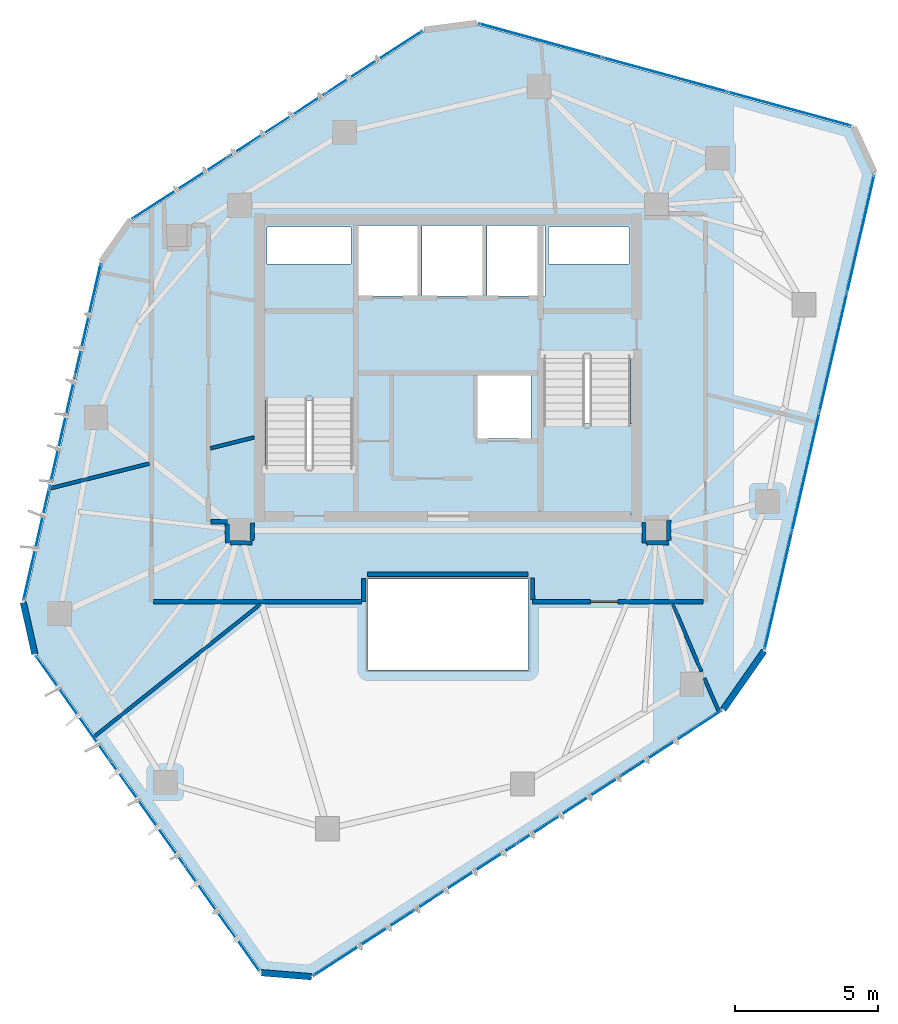
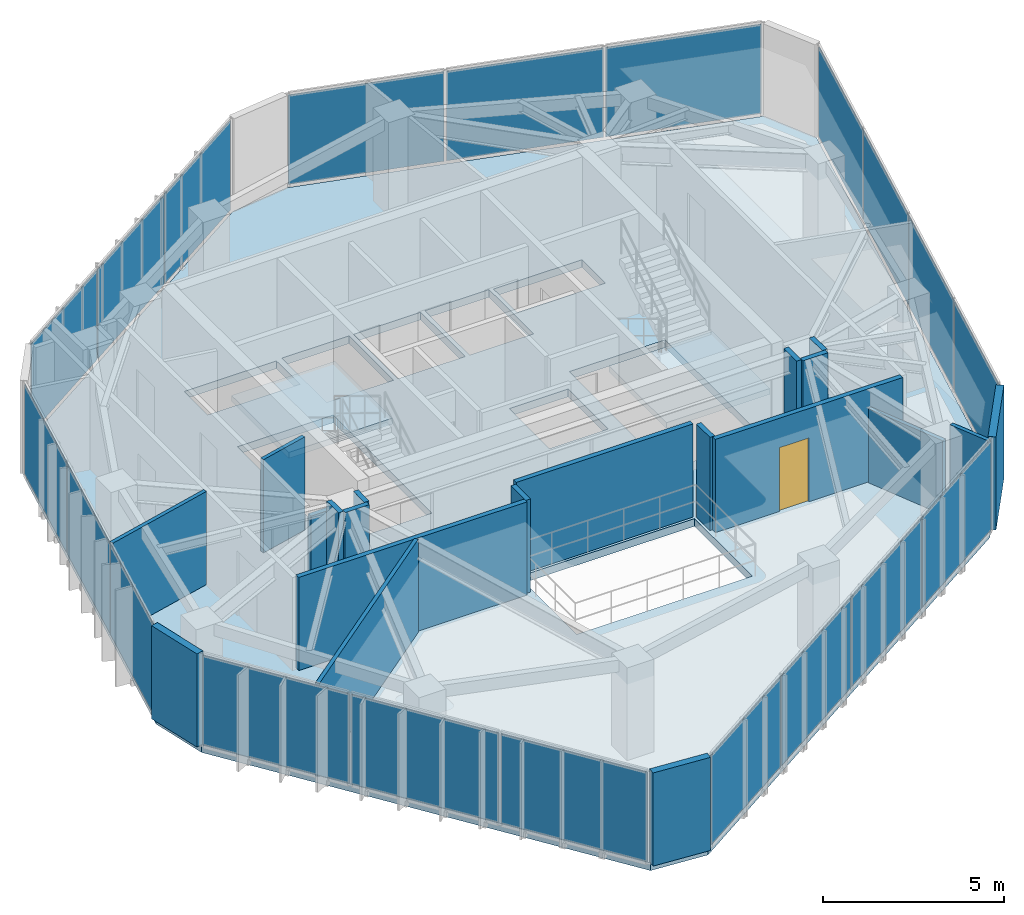
# One storey, part 16 of 20: 20 plates, 20 walls, 3 slabs, 1 door, 1 opening, 8 elements without a shape of their own.
"""IFC4 building model written with IfcOpenShell, lengths in metres."""

from ifc_helpers import new_model, si_unit, direction, frame, frame_2d, origin, origin_2d, place, context, subcontext, project, spatial, polyline, rectangle, outline, extrude, source, transform, mapped, material, layer, layer_set, type_object, type_shapes, element, fill, aggregate, save


model = new_model("IFC4")

# Units and contexts
model_context = context("Model", 3, precision=1e-05, world=origin(), true_north=direction((0.0, 1.0)))
body_context = subcontext(model_context, "Body", "Model", "MODEL_VIEW")
ifc_project = project(units=[si_unit("LENGTHUNIT", "METRE"), si_unit("AREAUNIT", "SQUARE_METRE"), si_unit("VOLUMEUNIT", "CUBIC_METRE"), si_unit("PLANEANGLEUNIT", "RADIAN"), si_unit("MASSUNIT", "GRAM", prefix="KILO")], contexts=[model_context])

# Site, building, storey
site_placement = place(None, origin())
site = spatial("IfcSite", under=ifc_project, at=site_placement, CompositionType="ELEMENT")
building_placement = place(site_placement, origin())
building = spatial("IfcBuilding", under=site, at=building_placement, Name="Talar Marvaseh", CompositionType="ELEMENT")
storey_placement = place(building_placement, frame((0.0, 0.0, 247.60009765625)))
storey = spatial("IfcBuildingStorey", under=building, at=storey_placement, Name="L65", CompositionType="ELEMENT", Elevation=247.60009765625)

# Stair, slab
ifc_material_1 = material(Name="Concrete C40/50", Category="concrete")
stair_type = type_object("IfcStairType", Name="Reinforced Concrete High-Rise Exit Stair Type C", PredefinedType="HALF_TURN_STAIR", material=ifc_material_1)
stair_1_placement = place(storey_placement, origin())
stair_1 = element("IfcStair", 1, at=stair_1_placement, inside=storey, type_object=stair_type, Name="L65 Tower West Core Exit Stair", PredefinedType="HALF_TURN_STAIR")
ifc_layer_1 = layer(ifc_material_1, 0.199951171875)
ifc_layer_set_1 = layer_set([ifc_layer_1], Name="Concrete C40/50")
slab_type_1 = type_object("IfcSlabType", Name="Reinforced Concrete Stair Half-Landing Slab 200", PredefinedType="LANDING", material=ifc_layer_set_1)
slab_1_placement = place(storey_placement, frame((0.0, 0.0, 1.5)))
slab_1 = element("IfcSlab", 2, at=slab_1_placement, type_object=slab_type_1, Name="ST-1 landing 1", PredefinedType="LANDING", context=body_context, shape_type="SweptSolid", body=[
    extrude(outline(polyline([(22.780029296875, 30.050048828125), (22.780029296875, 33.219970703125), (19.47998046875, 33.219970703125), (19.47998046875, 30.050048828125), (22.780029296875, 30.050048828125)])), origin(), (0.0, 0.0, 1.0), 0.199951171875),
])
aggregate(stair_1, [slab_1])

stair_2_placement = place(storey_placement, origin())
stair_2 = element("IfcStair", 3, at=stair_2_placement, inside=storey, type_object=stair_type, Name="L65 Tower East Core Exit Stair", PredefinedType="HALF_TURN_STAIR")
slab_2_placement = place(storey_placement, frame((0.0, 0.0, 1.5)))
slab_2 = element("IfcSlab", 4, at=slab_2_placement, type_object=slab_type_1, Name="ST-2 landing 1", PredefinedType="LANDING", context=body_context, shape_type="SweptSolid", body=[
    extrude(outline(polyline([(29.219970703125, 29.25), (29.219970703125, 26.080078125), (32.52001953125, 26.080078125), (32.52001953125, 29.25), (29.219970703125, 29.25)])), origin(), (0.0, 0.0, 1.0), 0.199951171875),
])
aggregate(stair_2, [slab_2])

# Slab
ifc_layer_2 = layer(ifc_material_1, 0.260009765625)
ifc_layer_set_2 = layer_set([ifc_layer_2], Name="Concrete C40/50")
slab_type_2 = type_object("IfcSlabType", Name="Structural Suspended Floor Slab 260", PredefinedType="FLOOR", material=ifc_layer_set_2)
slab_3_placement = place(storey_placement, frame((0.0, 0.0, -0.260009765625)))
element("IfcSlab", 5, at=slab_3_placement, inside=storey, type_object=slab_type_2, Name="L65 Tower Floor Slab", PredefinedType="FLOOR", context=body_context, shape_type="SweptSolid", body=[
    extrude(outline(polyline([(21.21533203125, 9.915283203125), (19.462890625, 10.0556640625), (11.5751953125, 21.177001953125), (11.16943359375, 22.988525390625), (13.90087890625, 34.885009765625), (14.92236328125, 36.343505859375), (25.1669921875, 42.979248046875), (27.008056640625, 43.217529296875), (40.156494140625, 39.609130859375), (40.8876953125, 38.01025390625), (37.0283203125, 21.305419921875), (35.593017578125, 19.255615234375), (21.21533203125, 9.915283203125)]), holes=[polyline([(22.659912109375, 27.64990234375), (22.659912109375, 33.10009765625), (19.60009765625, 33.10009765625), (19.60009765625, 27.64990234375), (22.659912109375, 27.64990234375)]), polyline([(29.340087890625, 31.64990234375), (29.340087890625, 26.199951171875), (32.39990234375, 26.199951171875), (32.39990234375, 31.64990234375), (29.340087890625, 31.64990234375)]), polyline([(22.800048828125, 33.719970703125), (24.93994140625, 33.719970703125), (24.93994140625, 36.179931640625), (22.800048828125, 36.179931640625), (22.800048828125, 33.719970703125)]), polyline([(25.080078125, 33.719970703125), (27.219970703125, 33.719970703125), (27.219970703125, 36.179931640625), (25.080078125, 36.179931640625), (25.080078125, 33.719970703125)]), polyline([(27.360107421875, 33.719970703125), (29.39990234375, 33.719970703125), (29.39990234375, 36.179931640625), (27.360107421875, 36.179931640625), (27.360107421875, 33.719970703125)]), polyline([(27.02001953125, 28.719970703125), (28.89990234375, 28.719970703125), (28.89990234375, 30.93994140625), (27.02001953125, 30.93994140625), (27.02001953125, 28.719970703125)]), polyline([(19.659912109375, 34.840087890625), (22.60009765625, 34.840087890625), (22.60009765625, 36.139892578125), (19.659912109375, 36.139892578125), (19.659912109375, 34.840087890625)]), polyline([(29.52001953125, 34.840087890625), (32.340087890625, 34.840087890625), (32.340087890625, 36.139892578125), (29.52001953125, 36.139892578125), (29.52001953125, 34.840087890625)]), polyline([(23.199951171875, 20.60009765625), (28.800048828125, 20.60009765625), (28.800048828125, 23.800048828125), (23.199951171875, 23.800048828125), (23.199951171875, 20.60009765625)])]), origin(), (0.0, 0.0, 1.0), 0.260009765625),
])

# Curtain wall, plate
ifc_material_2 = material(Name="Architectural Aluminium", Category="aluminium")
ifc_layer_3 = layer(ifc_material_2, 0.179931640625)
ifc_layer_set_3 = layer_set([ifc_layer_3], Name="Architectural Aluminium")
curtain_wall_type = type_object("IfcCurtainWallType", Name="Unitised High-Wind Sky Curtain Wall Z4", PredefinedType="NOTDEFINED", material=ifc_layer_set_3)
curtain_wall_1_placement = place(storey_placement, origin())
curtain_wall_1 = element("IfcCurtainWall", 6, at=curtain_wall_1_placement, inside=storey, type_object=curtain_wall_type, Name="L65 Unitised High-Wind Sky Curtain Wall Z4", PredefinedType="NOTDEFINED")
ifc_material_3 = material(Name="Laminated Low-E Solar Glass", Category="glass")
ifc_layer_4 = layer(ifc_material_3, 0.028076171875)
ifc_layer_set_4 = layer_set([ifc_layer_4], Name="Laminated Low-E Solar Glass")
plate_type = type_object("IfcPlateType", Name="Double-Glazed Low-E Vision Curtain Panel 28", PredefinedType="CURTAIN_PANEL", material=ifc_layer_set_4)
shared_shape_1 = source(origin(), body_context, "Body", "SweptSolid", [
    extrude(rectangle(XDim=4.47998046875, YDim=0.028076171875, at=origin_2d()), origin(), (0.0, 0.0, 1.0), 3.010009765625),
])
plate_1_placement = place(storey_placement, frame((15.47021484375, 15.58154296875, 0.06494140625), z_axis=(0.0, 0.0, 1.0), x_axis=(-0.578512539176, 0.815673489833, 0.0)))
plate_1 = element("IfcPlate", 7, at=plate_1_placement, type_object=plate_type, Name="CW-Z4 panel 2.1", PredefinedType="CURTAIN_PANEL", context=body_context, shape_type="MappedRepresentation", body=[
    mapped(shared_shape_1, transform((0.0, 0.0, 0.0), x_axis=(1.0, 0.0, 0.0), y_axis=(0.0, 1.0, 0.0), z_axis=(0.0, 0.0, 1.0), scale=1.0)),
])

curtain_wall_2_placement = place(storey_placement, origin())
curtain_wall_2 = element("IfcCurtainWall", 8, at=curtain_wall_2_placement, inside=storey, type_object=curtain_wall_type, Name="L65 Unitised High-Wind Sky Curtain Wall Z4", PredefinedType="NOTDEFINED")
plate_2_placement = place(storey_placement, frame((33.59814453125, 41.47119140625, 0.06494140625), z_axis=(0.0, 0.0, 1.0), x_axis=(0.964344721115, -0.264649312974, 0.0)))
plate_2 = element("IfcPlate", 9, at=plate_2_placement, type_object=plate_type, Name="CW-Z4 panel 2.1", PredefinedType="CURTAIN_PANEL", context=body_context, shape_type="MappedRepresentation", body=[
    mapped(shared_shape_1, transform((0.0, 0.0, 0.0), x_axis=(1.0, 0.0, 0.0), y_axis=(0.0, 1.0, 0.0), z_axis=(0.0, 0.0, 1.0), scale=1.0)),
])

# Curtain wall, plates
curtain_wall_3_placement = place(storey_placement, origin())
curtain_wall_3 = element("IfcCurtainWall", 10, at=curtain_wall_3_placement, inside=storey, type_object=curtain_wall_type, Name="L65 Unitised High-Wind Sky Curtain Wall Z4", PredefinedType="NOTDEFINED")
shared_shape_2 = source(origin(), body_context, "Body", "SweptSolid", [
    extrude(rectangle(XDim=3.97119140625, YDim=0.028076171875, at=origin_2d()), origin(), (0.0, 0.0, 1.0), 3.010009765625),
])
plate_3_placement = place(storey_placement, frame((11.56982421875, 25.00048828125, 0.06494140625), z_axis=(0.0, 0.0, 1.0), x_axis=(0.223791926761, 0.974636944465, 0.0)))
plate_3 = element("IfcPlate", 11, at=plate_3_placement, type_object=plate_type, Name="CW-Z4 panel 1.1", PredefinedType="CURTAIN_PANEL", context=body_context, shape_type="MappedRepresentation", body=[
    mapped(shared_shape_2, transform((0.0, 0.0, 0.0), x_axis=(1.0, 0.0, 0.0), y_axis=(0.0, 1.0, 0.0), z_axis=(0.0, 0.0, 1.0), scale=1.0)),
])
plate_4_placement = place(storey_placement, frame((13.383544921875, 32.89990234375, 0.06494140625), z_axis=(0.0, 0.0, 1.0), x_axis=(0.223791926761, 0.974636944465, 0.0)))
plate_4 = element("IfcPlate", 12, at=plate_4_placement, type_object=plate_type, Name="CW-Z4 panel 3.1", PredefinedType="CURTAIN_PANEL", context=body_context, shape_type="MappedRepresentation", body=[
    mapped(shared_shape_2, transform((0.0, 0.0, 0.0), x_axis=(1.0, 0.0, 0.0), y_axis=(0.0, 1.0, 0.0), z_axis=(0.0, 0.0, 1.0), scale=1.0)),
])

curtain_wall_4_placement = place(storey_placement, origin())
curtain_wall_4 = element("IfcCurtainWall", 13, at=curtain_wall_4_placement, inside=storey, type_object=curtain_wall_type, Name="L65 Unitised High-Wind Sky Curtain Wall Z4", PredefinedType="NOTDEFINED")
plate_5_placement = place(storey_placement, frame((16.61083984375, 37.5087890625, 0.06494140625), z_axis=(0.0, 0.0, 1.0), x_axis=(0.839314430427, 0.543646288387, 0.0)))
plate_5 = element("IfcPlate", 14, at=plate_5_placement, type_object=plate_type, Name="CW-Z4 panel 1.1", PredefinedType="CURTAIN_PANEL", context=body_context, shape_type="MappedRepresentation", body=[
    mapped(shared_shape_2, transform((0.0, 0.0, 0.0), x_axis=(1.0, 0.0, 0.0), y_axis=(0.0, 1.0, 0.0), z_axis=(0.0, 0.0, 1.0), scale=1.0)),
])
plate_6_placement = place(storey_placement, frame((23.413330078125, 41.914794921875, 0.06494140625), z_axis=(0.0, 0.0, 1.0), x_axis=(0.839314430427, 0.543646288387, 0.0)))
plate_6 = element("IfcPlate", 15, at=plate_6_placement, type_object=plate_type, Name="CW-Z4 panel 3.1", PredefinedType="CURTAIN_PANEL", context=body_context, shape_type="MappedRepresentation", body=[
    mapped(shared_shape_2, transform((0.0, 0.0, 0.0), x_axis=(1.0, 0.0, 0.0), y_axis=(0.0, 1.0, 0.0), z_axis=(0.0, 0.0, 1.0), scale=1.0)),
])

# Plate
shared_shape_3 = source(origin(), body_context, "Body", "SweptSolid", [
    extrude(rectangle(XDim=4.003662109375, YDim=0.028076171875, at=origin_2d()), origin(), (0.0, 0.0, 1.0), 3.010009765625),
])
plate_7_placement = place(storey_placement, frame((12.476806640625, 28.9501953125, 0.06494140625), z_axis=(0.0, 0.0, 1.0), x_axis=(0.223791926761, 0.974636944465, 0.0)))
plate_7 = element("IfcPlate", 16, at=plate_7_placement, type_object=plate_type, Name="CW-Z4 panel 2.1", PredefinedType="CURTAIN_PANEL", context=body_context, shape_type="MappedRepresentation", body=[
    mapped(shared_shape_3, transform((0.0, 0.0, 0.0), x_axis=(1.0, 0.0, 0.0), y_axis=(0.0, 1.0, 0.0), z_axis=(0.0, 0.0, 1.0), scale=1.0)),
])

aggregate(curtain_wall_3, [plate_3, plate_7, plate_4])

plate_8_placement = place(storey_placement, frame((20.011962890625, 39.711669921875, 0.06494140625), z_axis=(0.0, 0.0, 1.0), x_axis=(0.839314430427, 0.543646288387, 0.0)))
plate_8 = element("IfcPlate", 17, at=plate_8_placement, type_object=plate_type, Name="CW-Z4 panel 2.1", PredefinedType="CURTAIN_PANEL", context=body_context, shape_type="MappedRepresentation", body=[
    mapped(shared_shape_3, transform((0.0, 0.0, 0.0), x_axis=(1.0, 0.0, 0.0), y_axis=(0.0, 1.0, 0.0), z_axis=(0.0, 0.0, 1.0), scale=1.0)),
])

aggregate(curtain_wall_4, [plate_5, plate_8, plate_6])

# Curtain wall, plates
curtain_wall_5_placement = place(storey_placement, origin())
curtain_wall_5 = element("IfcCurtainWall", 18, at=curtain_wall_5_placement, inside=storey, type_object=curtain_wall_type, Name="L65 Unitised High-Wind Sky Curtain Wall Z4", PredefinedType="NOTDEFINED")
shared_shape_4 = source(origin(), body_context, "Body", "SweptSolid", [
    extrude(rectangle(XDim=4.188720703125, YDim=0.028076171875, at=origin_2d()), origin(), (0.0, 0.0, 1.0), 3.010009765625),
])
plate_9_placement = place(storey_placement, frame((40.460205078125, 35.892822265625, 0.06494140625), z_axis=(0.0, 0.0, 1.0), x_axis=(-0.225103157943, -0.974334936397, 0.0)))
plate_9 = element("IfcPlate", 19, at=plate_9_placement, type_object=plate_type, Name="CW-Z4 panel 1.1", PredefinedType="CURTAIN_PANEL", context=body_context, shape_type="MappedRepresentation", body=[
    mapped(shared_shape_4, transform((0.0, 0.0, 0.0), x_axis=(1.0, 0.0, 0.0), y_axis=(0.0, 1.0, 0.0), z_axis=(0.0, 0.0, 1.0), scale=1.0)),
])
plate_10_placement = place(storey_placement, frame((37.572998046875, 23.395751953125, 0.06494140625), z_axis=(0.0, 0.0, 1.0), x_axis=(-0.225103157943, -0.974334936397, 0.0)))
plate_10 = element("IfcPlate", 20, at=plate_10_placement, type_object=plate_type, Name="CW-Z4 panel 4.1", PredefinedType="CURTAIN_PANEL", context=body_context, shape_type="MappedRepresentation", body=[
    mapped(shared_shape_4, transform((0.0, 0.0, 0.0), x_axis=(1.0, 0.0, 0.0), y_axis=(0.0, 1.0, 0.0), z_axis=(0.0, 0.0, 1.0), scale=1.0)),
])

curtain_wall_6_placement = place(storey_placement, origin())
curtain_wall_6 = element("IfcCurtainWall", 21, at=curtain_wall_6_placement, inside=storey, type_object=curtain_wall_type, Name="L65 Unitised High-Wind Sky Curtain Wall Z4", PredefinedType="NOTDEFINED")
plate_11_placement = place(storey_placement, frame((33.81494140625, 18.02880859375, 0.06494140625), z_axis=(0.0, 0.0, 1.0), x_axis=(-0.838585906919, -0.544769379387, 0.0)))
plate_11 = element("IfcPlate", 22, at=plate_11_placement, type_object=plate_type, Name="CW-Z4 panel 1.1", PredefinedType="CURTAIN_PANEL", context=body_context, shape_type="MappedRepresentation", body=[
    mapped(shared_shape_4, transform((0.0, 0.0, 0.0), x_axis=(1.0, 0.0, 0.0), y_axis=(0.0, 1.0, 0.0), z_axis=(0.0, 0.0, 1.0), scale=1.0)),
])
plate_12_placement = place(storey_placement, frame((23.058837890625, 11.04150390625, 0.06494140625), z_axis=(0.0, 0.0, 1.0), x_axis=(-0.838585906919, -0.544769379387, 0.0)))
plate_12 = element("IfcPlate", 23, at=plate_12_placement, type_object=plate_type, Name="CW-Z4 panel 4.1", PredefinedType="CURTAIN_PANEL", context=body_context, shape_type="MappedRepresentation", body=[
    mapped(shared_shape_4, transform((0.0, 0.0, 0.0), x_axis=(1.0, 0.0, 0.0), y_axis=(0.0, 1.0, 0.0), z_axis=(0.0, 0.0, 1.0), scale=1.0)),
])

# Plate
shared_shape_5 = source(origin(), body_context, "Body", "SweptSolid", [
    extrude(rectangle(XDim=4.22119140625, YDim=0.028076171875, at=origin_2d()), origin(), (0.0, 0.0, 1.0), 3.010009765625),
])
plate_13_placement = place(storey_placement, frame((39.4990234375, 31.732421875, 0.06494140625), z_axis=(0.0, 0.0, 1.0), x_axis=(-0.225103157943, -0.974334936397, 0.0)))
plate_13 = element("IfcPlate", 24, at=plate_13_placement, type_object=plate_type, Name="CW-Z4 panel 2.1", PredefinedType="CURTAIN_PANEL", context=body_context, shape_type="MappedRepresentation", body=[
    mapped(shared_shape_5, transform((0.0, 0.0, 0.0), x_axis=(1.0, 0.0, 0.0), y_axis=(0.0, 1.0, 0.0), z_axis=(0.0, 0.0, 1.0), scale=1.0)),
])

plate_14_placement = place(storey_placement, frame((38.5341796875, 27.55615234375, 0.06494140625), z_axis=(0.0, 0.0, 1.0), x_axis=(-0.225103157943, -0.974334936397, 0.0)))
plate_14 = element("IfcPlate", 25, at=plate_14_placement, type_object=plate_type, Name="CW-Z4 panel 3.1", PredefinedType="CURTAIN_PANEL", context=body_context, shape_type="MappedRepresentation", body=[
    mapped(shared_shape_5, transform((0.0, 0.0, 0.0), x_axis=(1.0, 0.0, 0.0), y_axis=(0.0, 1.0, 0.0), z_axis=(0.0, 0.0, 1.0), scale=1.0)),
])

aggregate(curtain_wall_5, [plate_9, plate_13, plate_14, plate_10])

plate_15_placement = place(storey_placement, frame((30.234130859375, 15.70263671875, 0.06494140625), z_axis=(0.0, 0.0, 1.0), x_axis=(-0.838585906919, -0.544769379387, 0.0)))
plate_15 = element("IfcPlate", 26, at=plate_15_placement, type_object=plate_type, Name="CW-Z4 panel 2.1", PredefinedType="CURTAIN_PANEL", context=body_context, shape_type="MappedRepresentation", body=[
    mapped(shared_shape_5, transform((0.0, 0.0, 0.0), x_axis=(1.0, 0.0, 0.0), y_axis=(0.0, 1.0, 0.0), z_axis=(0.0, 0.0, 1.0), scale=1.0)),
])

plate_16_placement = place(storey_placement, frame((26.6396484375, 13.36767578125, 0.06494140625), z_axis=(0.0, 0.0, 1.0), x_axis=(-0.838585906919, -0.544769379387, 0.0)))
plate_16 = element("IfcPlate", 27, at=plate_16_placement, type_object=plate_type, Name="CW-Z4 panel 3.1", PredefinedType="CURTAIN_PANEL", context=body_context, shape_type="MappedRepresentation", body=[
    mapped(shared_shape_5, transform((0.0, 0.0, 0.0), x_axis=(1.0, 0.0, 0.0), y_axis=(0.0, 1.0, 0.0), z_axis=(0.0, 0.0, 1.0), scale=1.0)),
])

aggregate(curtain_wall_6, [plate_11, plate_15, plate_16, plate_12])

shared_shape_6 = source(origin(), body_context, "Body", "SweptSolid", [
    extrude(rectangle(XDim=4.447265625, YDim=0.028076171875, at=origin_2d()), origin(), (0.0, 0.0, 1.0), 3.010009765625),
])
type_shapes(plate_type, [shared_shape_1, shared_shape_2, shared_shape_3, shared_shape_4, shared_shape_5, shared_shape_6])
plate_17_placement = place(storey_placement, frame((18.090087890625, 11.8876953125, 0.06494140625), z_axis=(0.0, 0.0, 1.0), x_axis=(-0.578512539176, 0.815673489833, 0.0)))
plate_17 = element("IfcPlate", 28, at=plate_17_placement, type_object=plate_type, Name="CW-Z4 panel 1.1", PredefinedType="CURTAIN_PANEL", context=body_context, shape_type="MappedRepresentation", body=[
    mapped(shared_shape_6, transform((0.0, 0.0, 0.0), x_axis=(1.0, 0.0, 0.0), y_axis=(0.0, 1.0, 0.0), z_axis=(0.0, 0.0, 1.0), scale=1.0)),
])

plate_18_placement = place(storey_placement, frame((12.850341796875, 19.275390625, 0.06494140625), z_axis=(0.0, 0.0, 1.0), x_axis=(-0.578512539176, 0.815673489833, 0.0)))
plate_18 = element("IfcPlate", 29, at=plate_18_placement, type_object=plate_type, Name="CW-Z4 panel 3.1", PredefinedType="CURTAIN_PANEL", context=body_context, shape_type="MappedRepresentation", body=[
    mapped(shared_shape_6, transform((0.0, 0.0, 0.0), x_axis=(1.0, 0.0, 0.0), y_axis=(0.0, 1.0, 0.0), z_axis=(0.0, 0.0, 1.0), scale=1.0)),
])

aggregate(curtain_wall_1, [plate_17, plate_1, plate_18])

plate_19_placement = place(storey_placement, frame((29.231201171875, 42.669677734375, 0.06494140625), z_axis=(0.0, 0.0, 1.0), x_axis=(0.964344721115, -0.264649312974, 0.0)))
plate_19 = element("IfcPlate", 30, at=plate_19_placement, type_object=plate_type, Name="CW-Z4 panel 1.1", PredefinedType="CURTAIN_PANEL", context=body_context, shape_type="MappedRepresentation", body=[
    mapped(shared_shape_6, transform((0.0, 0.0, 0.0), x_axis=(1.0, 0.0, 0.0), y_axis=(0.0, 1.0, 0.0), z_axis=(0.0, 0.0, 1.0), scale=1.0)),
])

plate_20_placement = place(storey_placement, frame((37.96533203125, 40.272705078125, 0.06494140625), z_axis=(0.0, 0.0, 1.0), x_axis=(0.964344721115, -0.264649312974, 0.0)))
plate_20 = element("IfcPlate", 31, at=plate_20_placement, type_object=plate_type, Name="CW-Z4 panel 3.1", PredefinedType="CURTAIN_PANEL", context=body_context, shape_type="MappedRepresentation", body=[
    mapped(shared_shape_6, transform((0.0, 0.0, 0.0), x_axis=(1.0, 0.0, 0.0), y_axis=(0.0, 1.0, 0.0), z_axis=(0.0, 0.0, 1.0), scale=1.0)),
])

aggregate(curtain_wall_2, [plate_19, plate_2, plate_20])

# Walls
ifc_material_4 = material(Name="Precast concrete C45/55", Category="concrete")
ifc_layer_5 = layer(ifc_material_4, 0.22509765625)
ifc_layer_set_5 = layer_set([ifc_layer_5], Name="Precast concrete C45/55")
wall_type_1 = type_object("IfcWallType", Name="Chamfered Hexagonal Corner Pier Wall Z4 225", PredefinedType="SOLIDWALL", material=ifc_layer_set_5)
wall_1_placement = place(storey_placement, frame((21.210693359375, 9.855712890625, 0.0), z_axis=(0.0, 0.0, 1.0), x_axis=(-0.996817927358, 0.079712105085, 0.0)))
element("IfcWall", 32, at=wall_1_placement, inside=storey, type_object=wall_type_1, Name="L65 Chamfered Corner Limestone Pier 1", PredefinedType="SOLIDWALL", context=body_context, shape_type="SweptSolid", body=[
    extrude(rectangle(XDim=1.758056640625, YDim=0.22509765625, at=frame_2d((0.87890625, 0.0))), origin(), (0.0, 0.0, 1.0), 3.139892578125),
])
wall_2_placement = place(storey_placement, frame((11.5166015625, 21.163818359375, 0.0), z_axis=(0.0, 0.0, 1.0), x_axis=(-0.218545232932, 0.975826819247, 0.0)))
element("IfcWall", 33, at=wall_2_placement, inside=storey, type_object=wall_type_1, Name="L65 Chamfered Corner Limestone Pier 2", PredefinedType="SOLIDWALL", context=body_context, shape_type="SweptSolid", body=[
    extrude(rectangle(XDim=1.856689453125, YDim=0.22509765625, at=frame_2d((0.92822265625, 0.0))), origin(), (0.0, 0.0, 1.0), 3.139892578125),
])
wall_3_placement = place(storey_placement, frame((37.077392578125, 21.27099609375, 0.0), z_axis=(0.0, 0.0, 1.0), x_axis=(-0.573580201276, -0.819149408047, 0.0)))
element("IfcWall", 34, at=wall_3_placement, inside=storey, type_object=wall_type_1, Name="L65 Chamfered Corner Limestone Pier 6", PredefinedType="SOLIDWALL", context=body_context, shape_type="SweptSolid", body=[
    extrude(rectangle(XDim=2.50244140625, YDim=0.22509765625, at=frame_2d((1.251220703125, 0.0))), origin(), (0.0, 0.0, 1.0), 3.139892578125),
])

# Wall, opening, door
ifc_material_5 = material(Name="Gypsum Board Partition Assembly")
ifc_layer_6 = layer(ifc_material_5, 0.155029296875)
ifc_layer_set_6 = layer_set([ifc_layer_6], Name="Gypsum Board Partition Assembly")
wall_type_2 = type_object("IfcWallType", Name="Corridor Fire-Rated Acoustic Partition 155", PredefinedType="PARTITIONING", material=ifc_layer_set_6)
wall_4_placement = place(storey_placement, frame((34.9365234375, 23.0, 0.0), z_axis=(0.0, 0.0, 1.0), x_axis=(-1.0, 0.0, 0.0)))
wall_4 = element("IfcWall", 35, at=wall_4_placement, inside=storey, type_object=wall_type_2, Name="L65 Interior Partition Wall", PredefinedType="PARTITIONING", context=body_context, shape_type="SweptSolid", body=[
    extrude(rectangle(XDim=5.9765625, YDim=0.155029296875, at=frame_2d((2.98828125, 0.0))), origin(), (0.0, 0.0, 1.0), 3.139892578125),
])
opening_placement = place(wall_4_placement, frame((2.9873046875, 0.0, 0.0)))
opening = element("IfcOpeningElement", 36, at=opening_placement, cuts=wall_4, Name="Opening DR-WC095", PredefinedType="OPENING", context=body_context, shape_type="SweptSolid", body=[
    extrude(rectangle(XDim=0.949951171875, YDim=2.14990234375, at=frame_2d((0.47509765625, 1.074951171875))), frame((0.0, 0.08740234375, 0.0), z_axis=(0.0, -1.0, 0.0), x_axis=(1.0, 0.0, 0.0)), (0.0, 0.0, 1.0), 0.175048828125),
])
ifc_material_6 = material(Name="Acoustic Engineered Oak Timber", Category="wood")
door_type = type_object("IfcDoorType", Name="Washroom and Service Room Door 950x2150", OperationType="NOTDEFINED", PredefinedType="DOOR", material=ifc_material_6)
shared_shape_7 = source(origin(), body_context, "Body", "SweptSolid", [
    extrude(rectangle(XDim=0.949951171875, YDim=2.14990234375, at=frame_2d((0.47509765625, 1.074951171875))), frame((0.0, 0.02490234375, 0.0), z_axis=(0.0, -1.0, 0.0), x_axis=(1.0, 0.0, 0.0)), (0.0, 0.0, 1.0), 0.050048828125),
])
type_shapes(door_type, [shared_shape_7])
door_placement = place(opening_placement, origin())
door = element("IfcDoor", 37, at=door_placement, inside=storey, type_object=door_type, Name="L65 Hospitality Tea Pantry Door", OperationType="SINGLE_SWING_RIGHT", OverallHeight=2.14990234375, OverallWidth=0.949951171875, PredefinedType="DOOR", context=body_context, shape_type="MappedRepresentation", body=[
    mapped(shared_shape_7, transform((0.0, 0.0, 0.0), x_axis=(1.0, 0.0, 0.0), y_axis=(0.0, 1.0, 0.0), z_axis=(0.0, 0.0, 1.0), scale=1.0)),
])
fill(opening, door)

# Walls
wall_5_placement = place(storey_placement, frame((17.68359375, 25.800048828125, 0.0), z_axis=(0.0, 0.0, 1.0), x_axis=(1.0, 0.0, 0.0)))
element("IfcWall", 38, at=wall_5_placement, inside=storey, type_object=wall_type_2, Name="L65 Interior Partition Wall", PredefinedType="PARTITIONING", context=body_context, shape_type="SweptSolid", body=[
    extrude(rectangle(XDim=0.576416015625, YDim=0.155029296875, at=frame_2d((0.2880859375, 0.0))), origin(), (0.0, 0.0, 1.0), 2.802001953125),
])
wall_6_placement = place(storey_placement, frame((18.260986328125, 25.716552734375, 0.0), z_axis=(0.0, 0.0, 1.0), x_axis=(0.010439401276, -0.999945507966, 0.0)))
element("IfcWall", 39, at=wall_6_placement, inside=storey, type_object=wall_type_2, Name="L65 Interior Partition Wall", PredefinedType="PARTITIONING", context=body_context, shape_type="SweptSolid", body=[
    extrude(rectangle(XDim=0.65478515625, YDim=0.155029296875, at=frame_2d((0.327392578125, 0.0))), origin(), (0.0, 0.0, 1.0), 3.139892578125),
])
wall_7_placement = place(storey_placement, frame((18.351318359375, 25.0615234375, 0.0), z_axis=(0.0, 0.0, 1.0), x_axis=(0.999998207633, -0.001893338355, 0.0)))
element("IfcWall", 40, at=wall_7_placement, inside=storey, type_object=wall_type_2, Name="L65 Interior Partition Wall", PredefinedType="PARTITIONING", context=body_context, shape_type="SweptSolid", body=[
    extrude(rectangle(XDim=0.773681640625, YDim=0.155029296875, at=frame_2d((0.38671875, 0.0))), origin(), (0.0, 0.0, 1.0), 3.139892578125),
])
wall_8_placement = place(storey_placement, frame((19.126708984375, 25.1435546875, 0.0), z_axis=(0.0, 0.0, 1.0), x_axis=(0.021238324089, 0.999774441357, 0.0)))
element("IfcWall", 41, at=wall_8_placement, inside=storey, type_object=wall_type_2, Name="L65 Interior Partition Wall", PredefinedType="PARTITIONING", context=body_context, shape_type="SweptSolid", body=[
    extrude(rectangle(XDim=0.620849609375, YDim=0.155029296875, at=frame_2d((0.310546875, 0.0))), origin(), (0.0, 0.0, 1.0), 3.139892578125),
])
wall_9_placement = place(storey_placement, frame((28.959716796875, 23.08349609375, 0.0), z_axis=(0.0, 0.0, 1.0), x_axis=(-0.003917697652, 0.999992325793, 0.0)))
element("IfcWall", 42, at=wall_9_placement, inside=storey, type_object=wall_type_2, Name="L65 Interior Partition Wall", PredefinedType="PARTITIONING", context=body_context, shape_type="SweptSolid", body=[
    extrude(rectangle(XDim=0.747802734375, YDim=0.155029296875, at=frame_2d((0.3740234375, 0.0))), origin(), (0.0, 0.0, 1.0), 3.139892578125),
])
wall_10_placement = place(storey_placement, frame((28.800048828125, 23.9599609375, 0.0), z_axis=(0.0, 0.0, 1.0), x_axis=(-0.999999841177, -0.000563600015, 0.0)))
element("IfcWall", 43, at=wall_10_placement, inside=storey, type_object=wall_type_2, Name="L65 Interior Partition Wall", PredefinedType="PARTITIONING", context=body_context, shape_type="SweptSolid", body=[
    extrude(rectangle(XDim=5.63134765625, YDim=0.155029296875, at=frame_2d((2.815673828125, 0.0))), origin(), (0.0, 0.0, 1.0), 3.139892578125),
])
wall_11_placement = place(storey_placement, frame((23.040771484375, 23.815673828125, 0.0), z_axis=(0.0, 0.0, 1.0), x_axis=(-0.000897934388, -0.999999596857, 0.0)))
element("IfcWall", 44, at=wall_11_placement, inside=storey, type_object=wall_type_2, Name="L65 Interior Partition Wall", PredefinedType="PARTITIONING", context=body_context, shape_type="SweptSolid", body=[
    extrude(rectangle(XDim=0.815673828125, YDim=0.155029296875, at=frame_2d((0.40771484375, 0.0))), origin(), (0.0, 0.0, 1.0), 3.139892578125),
])
wall_12_placement = place(storey_placement, frame((22.95654296875, 23.0, 0.0), z_axis=(0.0, 0.0, 1.0), x_axis=(-1.0, 0.0, 0.0)))
element("IfcWall", 45, at=wall_12_placement, inside=storey, type_object=wall_type_2, Name="L65 Interior Partition Wall", PredefinedType="PARTITIONING", context=body_context, shape_type="SweptSolid", body=[
    extrude(rectangle(XDim=7.27294921875, YDim=0.155029296875, at=frame_2d((3.636474609375, 0.0))), origin(), (0.0, 0.0, 1.0), 3.139892578125),
])
wall_13_placement = place(storey_placement, frame((32.864501953125, 25.772705078125, 0.0), z_axis=(0.0, 0.0, 1.0), x_axis=(0.0, -1.0, 0.0)))
element("IfcWall", 46, at=wall_13_placement, inside=storey, type_object=wall_type_2, Name="L65 Interior Partition Wall", PredefinedType="PARTITIONING", context=body_context, shape_type="SweptSolid", body=[
    extrude(rectangle(XDim=0.708251953125, YDim=0.155029296875, at=frame_2d((0.35400390625, 0.0))), origin(), (0.0, 0.0, 1.0), 3.139892578125),
])
wall_14_placement = place(storey_placement, frame((32.947998046875, 25.064453125, 0.0), z_axis=(0.0, 0.0, 1.0), x_axis=(1.0, 0.0, 0.0)))
element("IfcWall", 47, at=wall_14_placement, inside=storey, type_object=wall_type_2, Name="L65 Interior Partition Wall", PredefinedType="PARTITIONING", context=body_context, shape_type="SweptSolid", body=[
    extrude(rectangle(XDim=0.78759765625, YDim=0.155029296875, at=frame_2d((0.393798828125, 0.0))), origin(), (0.0, 0.0, 1.0), 3.139892578125),
])
wall_15_placement = place(storey_placement, frame((33.734619140625, 25.14794921875, 0.0), z_axis=(0.0, 0.0, 1.0), x_axis=(-0.012059770759, 0.99992727832, 0.0)))
element("IfcWall", 48, at=wall_15_placement, inside=storey, type_object=wall_type_2, Name="L65 Interior Partition Wall", PredefinedType="PARTITIONING", context=body_context, shape_type="SweptSolid", body=[
    extrude(rectangle(XDim=0.70849609375, YDim=0.155029296875, at=frame_2d((0.354248046875, 0.0))), origin(), (0.0, 0.0, 1.0), 3.139892578125),
])
ifc_layer_7 = layer(ifc_material_5, 0.1201171875)
ifc_layer_set_7 = layer_set([ifc_layer_7], Name="Gypsum Board Partition Assembly")
wall_type_3 = type_object("IfcWallType", Name="Demountable Studio Room Partition 120", PredefinedType="PARTITIONING", material=ifc_layer_set_7)
wall_16_placement = place(storey_placement, frame((17.6630859375, 28.375732421875, 0.0), z_axis=(0.0, 0.0, 1.0), x_axis=(0.970133434071, 0.242571886454, 0.0)))
element("IfcWall", 49, at=wall_16_placement, inside=storey, type_object=wall_type_3, Name="L65 Interior Partition Wall", PredefinedType="PARTITIONING", context=body_context, shape_type="SweptSolid", body=[
    extrude(rectangle(XDim=1.584228515625, YDim=0.1201171875, at=frame_2d((0.7919921875, 0.0))), origin(), (0.0, 0.0, 1.0), 3.139892578125),
])
wall_17_placement = place(storey_placement, frame((19.42529296875, 22.91650390625, 0.0), z_axis=(0.0, 0.0, 1.0), x_axis=(-0.782183216264, -0.623048486231, 0.0)))
element("IfcWall", 50, at=wall_17_placement, inside=storey, type_object=wall_type_3, Name="L65 Interior Partition Wall", PredefinedType="PARTITIONING", context=body_context, shape_type="SweptSolid", body=[
    extrude(rectangle(XDim=7.4560546875, YDim=0.1201171875, at=frame_2d((3.72802734375, 0.0))), origin(), (0.0, 0.0, 1.0), 3.139892578125),
])
wall_18_placement = place(storey_placement, frame((12.045166015625, 26.97119140625, 0.0), z_axis=(0.0, 0.0, 1.0), x_axis=(0.970134519375, 0.242567545888, 0.0)))
element("IfcWall", 51, at=wall_18_placement, inside=storey, type_object=wall_type_3, Name="L65 Interior Partition Wall", PredefinedType="PARTITIONING", context=body_context, shape_type="SweptSolid", body=[
    extrude(rectangle(XDim=3.59912109375, YDim=0.1201171875, at=frame_2d((1.799560546875, 0.0))), origin(), (0.0, 0.0, 1.0), 3.139892578125),
])
wall_19_placement = place(storey_placement, frame((33.87548828125, 22.91650390625, 0.0), z_axis=(0.0, 0.0, 1.0), x_axis=(0.390696173122, -0.920519690342, 0.0)))
element("IfcWall", 52, at=wall_19_placement, inside=storey, type_object=wall_type_3, Name="L65 Interior Partition Wall", PredefinedType="PARTITIONING", context=body_context, shape_type="SweptSolid", body=[
    extrude(rectangle(XDim=2.57080078125, YDim=0.1201171875, at=frame_2d((1.285400390625, 0.0))), origin(), (0.0, 0.0, 1.0), 2.497802734375),
])
wall_20_placement = place(storey_placement, frame((34.97998046875, 20.320068359375, 0.0), z_axis=(0.0, 0.0, 1.0), x_axis=(0.399416825618, -0.916769436343, 0.0)))
element("IfcWall", 53, at=wall_20_placement, inside=storey, type_object=wall_type_3, Name="L65 Interior Partition Wall", PredefinedType="PARTITIONING", context=body_context, shape_type="SweptSolid", body=[
    extrude(rectangle(XDim=1.279296875, YDim=0.1201171875, at=frame_2d((0.6396484375, 0.0))), origin(), (0.0, 0.0, 1.0), 3.139892578125),
])

save(model, "model.ifc")
